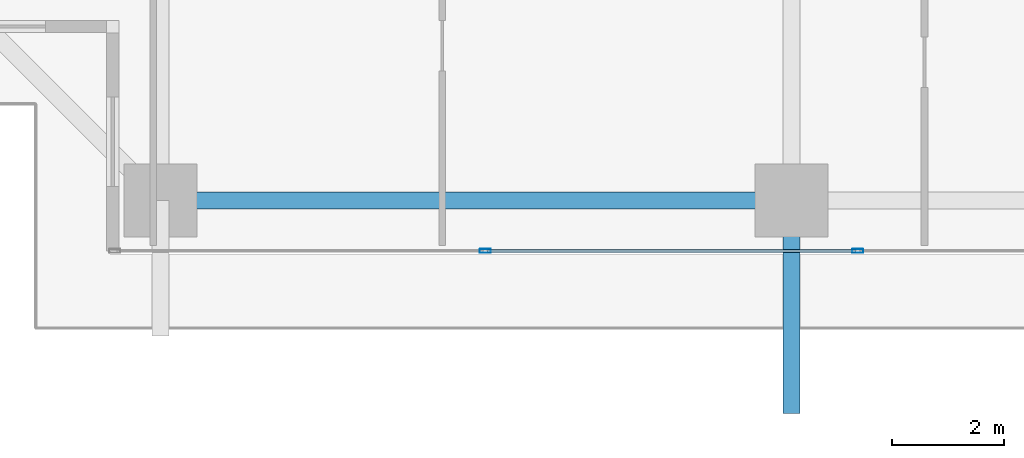
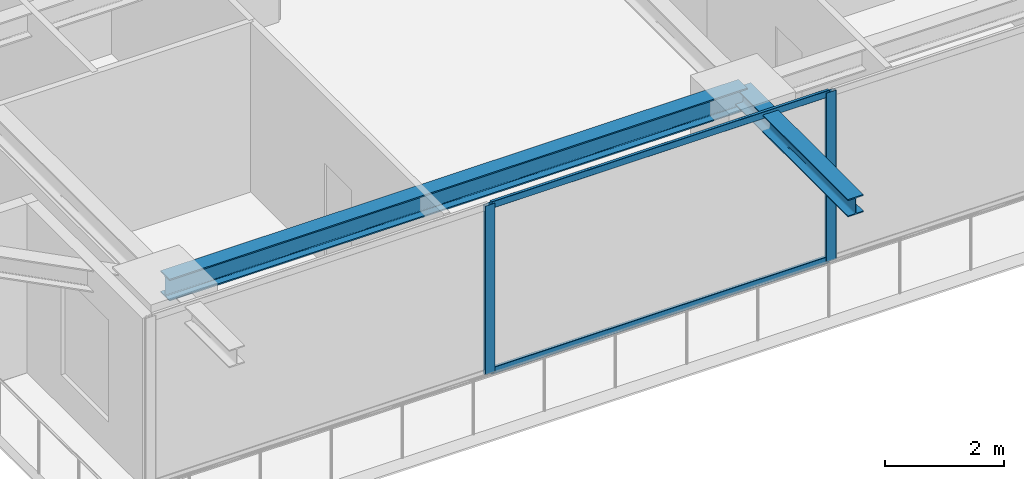
# One storey, part 5 of 37: 4 members, 2 beams, 1 element without a shape of its own.
"""IFC4 building model written with IfcOpenShell, lengths in metres."""

from ifc_helpers import new_model, si_unit, direction, frame, origin, origin_2d, place, context, subcontext, project, spatial, hollow_rectangle, i_section, extrude, source, transform, mapped, material, layer, layer_set, material_profile, profile_set, type_object, element, aggregate, save


model = new_model("IFC4")

# Units and contexts
model_context = context("Model", 3, precision=1e-05, world=origin(), true_north=direction((0.0, 1.0)))
body_context = subcontext(model_context, "Body", "Model", "MODEL_VIEW")
ifc_project = project(units=[si_unit("LENGTHUNIT", "METRE"), si_unit("AREAUNIT", "SQUARE_METRE"), si_unit("VOLUMEUNIT", "CUBIC_METRE"), si_unit("PLANEANGLEUNIT", "RADIAN"), si_unit("MASSUNIT", "GRAM", prefix="KILO")], contexts=[model_context])

# Site, building, storey
site_placement = place(None, origin())
site = spatial("IfcSite", under=ifc_project, at=site_placement, CompositionType="ELEMENT")
building_placement = place(site_placement, origin())
building = spatial("IfcBuilding", under=site, at=building_placement, Name="Serunith Strait Residences", CompositionType="ELEMENT")
storey_placement = place(building_placement, frame((0.0, 0.0, 153.89990234375)))
storey = spatial("IfcBuildingStorey", under=building, at=storey_placement, Name="L38", CompositionType="ELEMENT", Elevation=153.89990234375)

# Beams
ifc_material_1 = material(Name="Steel S355J2", Category="steel")
ifc_material_profile_1 = material_profile(ifc_material_1, i_section(OverallWidth=0.300048828125, OverallDepth=0.449951171875, WebThickness=0.013916015625, FlangeThickness=0.02587890625, FilletRadius=0.027099609375, at=origin_2d()), Name="HEB 450")
ifc_profile_set_1 = profile_set([ifc_material_profile_1], Name="Steel S355J2")
beam_type_1 = type_object("IfcBeamType", Name="BM-HEB450", PredefinedType="BEAM", material=ifc_profile_set_1)
shared_shape_1 = source(origin(), body_context, "Body", "SweptSolid", [
    extrude(i_section(OverallWidth=0.300048828125, OverallDepth=0.449951171875, WebThickness=0.013916015625, FlangeThickness=0.02587890625, FilletRadius=0.027099609375, at=origin_2d()), origin(), (0.0, 0.0, 1.0), 11.25),
])
beam_1_placement = place(storey_placement, frame((16.64990234375, 2.300048828125, 3.26220703125), z_axis=(1.0, 0.0, 0.0), x_axis=(0.0, 1.0, 0.0)))
element("IfcBeam", 1, at=beam_1_placement, inside=storey, type_object=beam_type_1, Name="L38 Perimeter Ring Beam 01", PredefinedType="BEAM", context=body_context, shape_type="MappedRepresentation", body=[
    mapped(shared_shape_1, transform((0.0, 0.0, 0.0), scale=1.0)),
])
ifc_material_profile_2 = material_profile(ifc_material_1, i_section(OverallWidth=0.300048828125, OverallDepth=0.360107421875, WebThickness=0.012451171875, FlangeThickness=0.0224609375, FilletRadius=0.027099609375, at=origin_2d()), Name="HEB 360")
ifc_profile_set_2 = profile_set([ifc_material_profile_2], Name="Steel S355J2")
beam_type_2 = type_object("IfcBeamType", Name="BM-HEB360", PredefinedType="BEAM", material=ifc_profile_set_2)
shared_shape_2 = source(origin(), body_context, "Body", "SweptSolid", [
    extrude(i_section(OverallWidth=0.300048828125, OverallDepth=0.360107421875, WebThickness=0.012451171875, FlangeThickness=0.0224609375, FilletRadius=0.027099609375, at=origin_2d()), origin(), (0.0, 0.0, 1.0), 3.800048828125),
])
beam_2_placement = place(storey_placement, frame((27.89990234375, 2.300048828125, 3.277099609375), z_axis=(0.0, -1.0, 0.0), x_axis=(1.0, 0.0, 0.0)))
element("IfcBeam", 2, at=beam_2_placement, inside=storey, type_object=beam_type_2, Name="L39 Cantilevered Balcony Rib TC-S2", PredefinedType="BEAM", context=body_context, shape_type="MappedRepresentation", body=[
    mapped(shared_shape_2, transform((0.0, 0.0, 0.0), scale=1.0)),
])

# Curtain wall, members
ifc_material_2 = material(Name="Pale-Champagne Anodised Aluminium", Category="aluminium")
ifc_layer = layer(ifc_material_2, 0.199951171875, Name="Pale-Champagne Anodised Aluminium")
ifc_layer_set = layer_set([ifc_layer], Name="Pale-Champagne Anodised Aluminium")
curtain_wall_type = type_object("IfcCurtainWallType", Name="CW-SYS2", PredefinedType="NOTDEFINED", material=ifc_layer_set)
curtain_wall_placement = place(storey_placement, origin())
curtain_wall = element("IfcCurtainWall", 3, at=curtain_wall_placement, inside=storey, type_object=curtain_wall_type, Name="L38 S Unitised Fritted Curtain Wall", PredefinedType="NOTDEFINED")
ifc_material_profile_3 = material_profile(ifc_material_2, hollow_rectangle(XDim=0.070068359375, YDim=0.199951171875, WallThickness=0.00390625, InnerFilletRadius=0.006103515625, OuterFilletRadius=0.010009765625, at=origin_2d()), Name="ALU 200x70x4")
ifc_profile_set_3 = profile_set([ifc_material_profile_3], Name="Pale-Champagne Anodised Aluminium")
member_type_1 = type_object("IfcMemberType", Name="CW-SYS2-MULL", PredefinedType="MULLION", material=ifc_profile_set_3)
shared_shape_3 = source(origin(), body_context, "Body", "SweptSolid", [
    extrude(hollow_rectangle(XDim=0.070068359375, YDim=0.199951171875, WallThickness=0.00390625, InnerFilletRadius=0.006103515625, OuterFilletRadius=0.010009765625, at=origin_2d()), origin(), (0.0, 0.0, 1.0), 3.47509765625),
])
member_1_placement = place(storey_placement, frame((22.43994140625, 1.39990234375, 0.0), z_axis=(0.0, 0.0, 1.0), x_axis=(0.0, 1.0, 0.0)))
member_1 = element("IfcMember", 4, at=member_1_placement, type_object=member_type_1, Name="CW-2 mullion 2", PredefinedType="MULLION", context=body_context, shape_type="MappedRepresentation", body=[
    mapped(shared_shape_3, transform((0.0, 0.0, 0.0), scale=1.0)),
])
member_2_placement = place(storey_placement, frame((29.080078125, 1.39990234375, 0.0), z_axis=(0.0, 0.0, 1.0), x_axis=(0.0, 1.0, 0.0)))
member_2 = element("IfcMember", 5, at=member_2_placement, type_object=member_type_1, Name="CW-2 mullion 3", PredefinedType="MULLION", context=body_context, shape_type="MappedRepresentation", body=[
    mapped(shared_shape_3, transform((0.0, 0.0, 0.0), scale=1.0)),
])
ifc_material_profile_4 = material_profile(ifc_material_2, hollow_rectangle(XDim=0.06005859375, YDim=0.139892578125, WallThickness=0.00341796875, InnerFilletRadius=0.00537109375, OuterFilletRadius=0.0087890625, at=origin_2d()), Name="ALU 140x60x3.5")
ifc_profile_set_4 = profile_set([ifc_material_profile_4], Name="Pale-Champagne Anodised Aluminium")
member_type_2 = type_object("IfcMemberType", Name="CW-SYS2-TRAN", PredefinedType="USERDEFINED", material=ifc_profile_set_4)
shared_shape_4 = source(origin(), body_context, "Body", "SweptSolid", [
    extrude(hollow_rectangle(XDim=0.06005859375, YDim=0.139892578125, WallThickness=0.00341796875, InnerFilletRadius=0.00537109375, OuterFilletRadius=0.0087890625, at=origin_2d()), origin(), (0.0, 0.0, 1.0), 6.56982421875),
])
member_3_placement = place(storey_placement, frame((22.47509765625, 1.39990234375, 0.030029296875), z_axis=(1.0, 0.0, 0.0), x_axis=(0.0, 1.0, 0.0)))
member_3 = element("IfcMember", 6, at=member_3_placement, type_object=member_type_2, Name="CW-2 transom 2.1", ObjectType="TRANSOM", PredefinedType="USERDEFINED", context=body_context, shape_type="MappedRepresentation", body=[
    mapped(shared_shape_4, transform((0.0, 0.0, 0.0), scale=1.0)),
])
member_4_placement = place(storey_placement, frame((22.47509765625, 1.39990234375, 3.445068359375), z_axis=(1.0, 0.0, 0.0), x_axis=(0.0, 1.0, 0.0)))
member_4 = element("IfcMember", 7, at=member_4_placement, type_object=member_type_2, Name="CW-2 transom 2.2", ObjectType="TRANSOM", PredefinedType="USERDEFINED", context=body_context, shape_type="MappedRepresentation", body=[
    mapped(shared_shape_4, transform((0.0, 0.0, 0.0), scale=1.0)),
])
aggregate(curtain_wall, [member_1, member_2, member_3, member_4])

save(model, "model.ifc")
